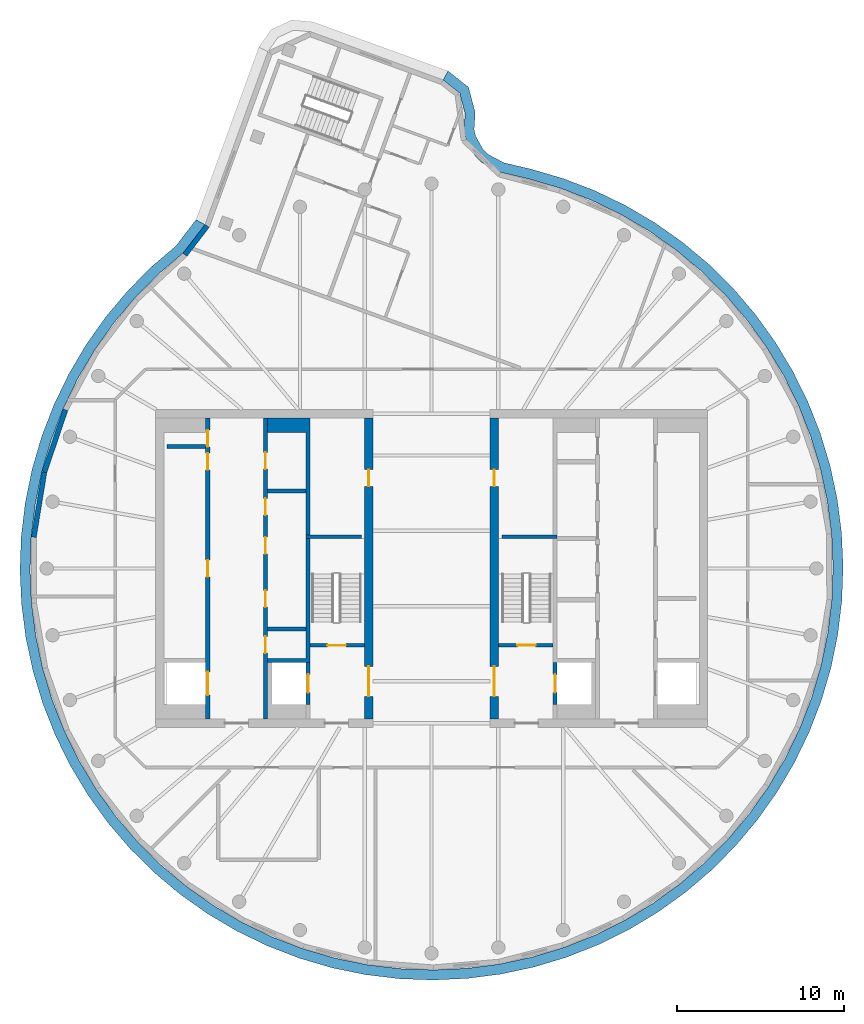
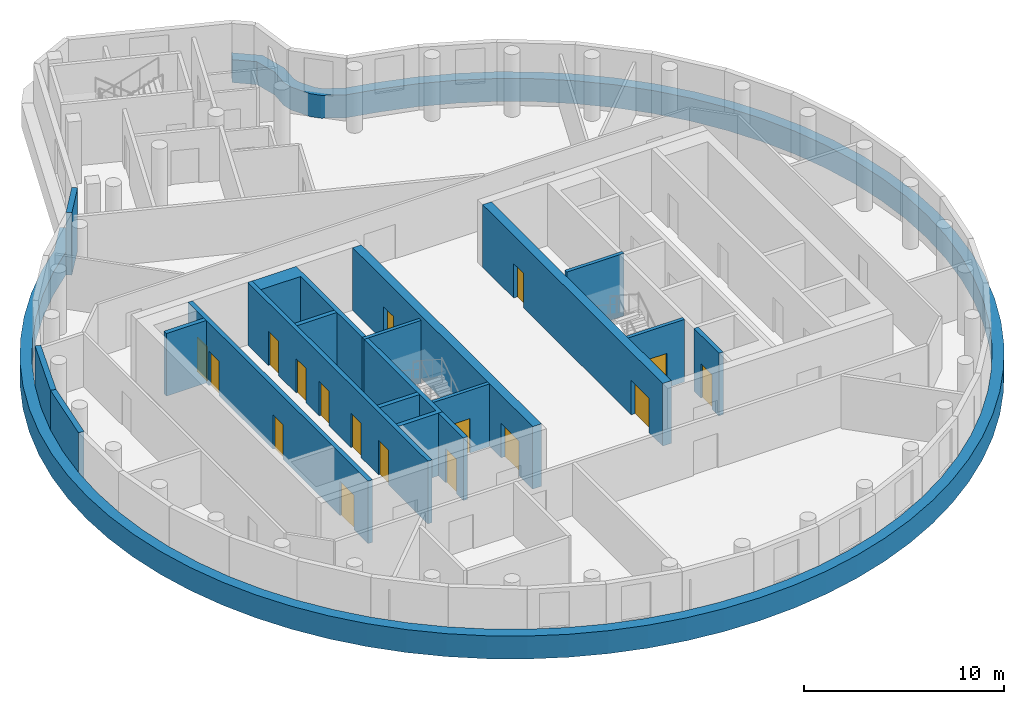
# One storey, part 3 of 7: 17 doors, 17 walls, 1 member, 17 openings.
"""IFC4 building model written with IfcOpenShell, lengths in metres."""

from ifc_helpers import new_model, si_unit, direction, frame, frame_2d, origin, place, context, subcontext, project, spatial, polyline, rectangle, outline, extrude, material, layer, layer_set, type_object, element, fill, aggregate, save


model = new_model("IFC4")

# Units and contexts
model_context = context("Model", 3, precision=1e-05, world=origin(), true_north=direction((0.0, 1.0)))
body_context = subcontext(model_context, "Body", "Model", "MODEL_VIEW")
ifc_project = project(units=[si_unit("LENGTHUNIT", "METRE"), si_unit("AREAUNIT", "SQUARE_METRE"), si_unit("VOLUMEUNIT", "CUBIC_METRE"), si_unit("PLANEANGLEUNIT", "RADIAN"), si_unit("MASSUNIT", "GRAM", prefix="KILO")], contexts=[model_context])

# Member
ifc_material_1 = material(Name="Aluminium and insulated spandrel panel", Category="aluminium")
member_type = type_object("IfcMemberType", Name="Floor-edge blade transom", PredefinedType="USERDEFINED", material=ifc_material_1)
site_placement = place(None, origin())
building_placement = place(site_placement, origin())
storey_placement = place(building_placement, frame((0.0, 0.0, 313.39990234375)))
member_placement = place(storey_placement, origin())
member = element("IfcMember", 1, at=member_placement, type_object=member_type, Name="CWT-L77-02", ObjectType="TRANSOM", PredefinedType="USERDEFINED", context=body_context, shape_type="SweptSolid", body=[
    extrude(outline(polyline([(-13.54248046875, 20.54736328125), (-14.847900390625, 18.848876953125), (-16.327880859375, 17.584228515625), (-17.72412109375, 16.17578125), (-18.99951171875, 14.656982421875), (-20.14501953125, 13.0380859375), (-21.15283203125, 11.329833984375), (-22.01611328125, 9.54443359375), (-22.72900390625, 7.69384765625), (-23.286865234375, 5.79052734375), (-23.685546875, 3.84765625), (-23.92236328125, 1.878662109375), (-23.995849609375, -0.103271484375), (-23.9052734375, -2.08447265625), (-23.6513671875, -4.051513671875), (-23.236083984375, -5.99072265625), (-22.662109375, -7.88916015625), (-21.93310546875, -9.733642578125), (-21.054443359375, -11.511474609375), (-20.031982421875, -13.2109375), (-18.87255859375, -14.820068359375), (-17.584228515625, -16.327880859375), (-16.17578125, -17.72412109375), (-14.656982421875, -18.99951171875), (-13.0380859375, -20.14501953125), (-11.329833984375, -21.15283203125), (-9.54443359375, -22.01611328125), (-7.69384765625, -22.72900390625), (-5.79052734375, -23.286865234375), (-3.84765625, -23.685546875), (-1.878662109375, -23.92236328125), (0.103271484375, -23.995849609375), (2.08447265625, -23.9052734375), (4.051513671875, -23.6513671875), (5.99072265625, -23.236083984375), (7.88916015625, -22.662109375), (9.733642578125, -21.93310546875), (11.511474609375, -21.054443359375), (13.2109375, -20.031982421875), (14.820068359375, -18.87255859375), (16.327880859375, -17.584228515625), (17.72412109375, -16.17578125), (18.99951171875, -14.656982421875), (20.14501953125, -13.0380859375), (21.15283203125, -11.329833984375), (22.01611328125, -9.54443359375), (22.72900390625, -7.69384765625), (23.286865234375, -5.79052734375), (23.685546875, -3.84765625), (23.92236328125, -1.878662109375), (23.995849609375, 0.103271484375), (23.9052734375, 2.08447265625), (23.6513671875, 4.051513671875), (23.236083984375, 5.99072265625), (22.662109375, 7.88916015625), (21.93310546875, 9.733642578125), (21.054443359375, 11.511474609375), (20.031982421875, 13.2109375), (18.87255859375, 14.820068359375), (17.584228515625, 16.327880859375), (16.17578125, 17.72412109375), (14.656982421875, 18.99951171875), (13.0380859375, 20.14501953125), (11.329833984375, 21.15283203125), (9.54443359375, 22.01611328125), (7.69384765625, 22.72900390625), (5.79052734375, 23.286865234375), (4.106689453125, 23.68115234375), (2.99658203125, 24.276123046875), (2.603515625, 24.663330078125), (2.0615234375, 25.6376953125), (1.940185546875, 26.176025390625), (2.004638671875, 27.190673828125), (1.6826171875, 28.412353515625), (0.692626953125, 29.197021484375), (0.9892578125, 29.7275390625), (2.2119140625, 28.75830078125), (2.609619140625, 27.249755859375), (2.54443359375, 26.223876953125), (2.6279296875, 25.85400390625), (3.0859375, 25.0302734375), (3.356201171875, 24.76416015625), (4.3203125, 24.247314453125), (5.943359375, 23.8671875), (7.88623046875, 23.2978515625), (9.783203125, 22.567138671875), (11.613525390625, 21.68212890625), (13.3642578125, 20.64892578125), (15.023681640625, 19.474853515625), (16.580810546875, 18.167724609375), (18.0244140625, 16.736572265625), (19.344970703125, 15.19091796875), (20.533203125, 13.54150390625), (21.581298828125, 11.799560546875), (22.482177734375, 9.97705078125), (23.229248046875, 8.08642578125), (23.817626953125, 6.140625), (24.243408203125, 4.15283203125), (24.50341796875, 2.13671875), (24.59619140625, 0.10595703125), (24.52099609375, -1.925537109375), (24.2783203125, -3.944091796875), (23.86962890625, -5.935302734375), (23.2978515625, -7.88623046875), (22.567138671875, -9.783203125), (21.68212890625, -11.613525390625), (20.64892578125, -13.3642578125), (19.474853515625, -15.023681640625), (18.167724609375, -16.580810546875), (16.736572265625, -18.0244140625), (15.19091796875, -19.344970703125), (13.54150390625, -20.533203125), (11.799560546875, -21.581298828125), (9.97705078125, -22.482177734375), (8.08642578125, -23.229248046875), (6.140625, -23.817626953125), (4.15283203125, -24.243408203125), (2.13671875, -24.50341796875), (0.10595703125, -24.59619140625), (-1.925537109375, -24.52099609375), (-3.944091796875, -24.2783203125), (-5.935302734375, -23.86962890625), (-7.88623046875, -23.2978515625), (-9.783203125, -22.567138671875), (-11.613525390625, -21.68212890625), (-13.3642578125, -20.64892578125), (-15.023681640625, -19.474853515625), (-16.580810546875, -18.167724609375), (-18.0244140625, -16.736572265625), (-19.344970703125, -15.19091796875), (-20.533203125, -13.54150390625), (-21.581298828125, -11.799560546875), (-22.482177734375, -9.97705078125), (-23.229248046875, -8.08642578125), (-23.817626953125, -6.140625), (-24.243408203125, -4.15283203125), (-24.50341796875, -2.13671875), (-24.59619140625, -0.10595703125), (-24.52099609375, 1.925537109375), (-24.2783203125, 3.944091796875), (-23.86962890625, 5.935302734375), (-23.2978515625, 7.88623046875), (-22.567138671875, 9.783203125), (-21.68212890625, 11.613525390625), (-20.64892578125, 13.3642578125), (-19.474853515625, 15.023681640625), (-18.167724609375, 16.580810546875), (-16.736572265625, 18.0244140625), (-15.285400390625, 19.264404296875), (-14.07470703125, 20.839599609375), (-13.54248046875, 20.54736328125)])), origin(), (0.0, 0.0, 1.0), 1.400146484375),
])

# Site, building, storey
site = spatial("IfcSite", under=ifc_project, at=site_placement, CompositionType="ELEMENT")
building = spatial("IfcBuilding", under=site, at=building_placement, Name="Tamarind Cross Interchange Tower", CompositionType="ELEMENT")
storey = spatial("IfcBuildingStorey", under=building, at=storey_placement, Name="L77", CompositionType="ELEMENT", Elevation=313.39990234375)

# Wall, openings, doors
ifc_material_2 = material(Name="Concrete C50", Category="concrete")
ifc_layer_1 = layer(ifc_material_2, 0.5)
ifc_layer_set_1 = layer_set([ifc_layer_1], Name="Concrete C50")
wall_type_1 = type_object("IfcWallType", Name="Core wall 500 mm Concrete C50", PredefinedType="SHEAR", material=ifc_layer_set_1)
wall_1_placement = place(storey_placement, frame((-3.75, -9.0, 0.0), z_axis=(0.0, 0.0, 1.0), x_axis=(0.0, 1.0, 0.0)))
wall_1 = element("IfcWall", 2, at=wall_1_placement, inside=storey, type_object=wall_type_1, Name="Core wall CWL-L77-W-IN", PredefinedType="SHEAR", context=body_context, shape_type="SweptSolid", body=[
    extrude(rectangle(XDim=18.0, YDim=0.5, at=frame_2d((9.0, 0.0))), origin(), (0.0, 0.0, 1.0), 3.820068359375),
])
opening_1_placement = place(wall_1_placement, frame((1.35009765625, 0.0, 0.0)))
opening_1 = element("IfcOpeningElement", 3, at=opening_1_placement, cuts=wall_1, Name="Opening DCW4", PredefinedType="OPENING", context=body_context, shape_type="SweptSolid", body=[
    extrude(rectangle(XDim=1.800048828125, YDim=2.10009765625, at=frame_2d((0.89990234375, 1.050048828125))), frame((0.0, 0.260009765625, 0.0), z_axis=(0.0, -1.0, 0.0), x_axis=(1.0, 0.0, 0.0)), (0.0, 0.0, 1.0), 0.52001953125),
])
opening_2_placement = place(wall_1_placement, frame((13.89990234375, 0.0, 0.0)))
opening_2 = element("IfcOpeningElement", 4, at=opening_2_placement, cuts=wall_1, Name="Opening DCW5", PredefinedType="OPENING", context=body_context, shape_type="SweptSolid", body=[
    extrude(rectangle(XDim=1.0, YDim=2.10009765625, at=frame_2d((0.5, 1.050048828125))), frame((0.0, 0.260009765625, 0.0), z_axis=(0.0, -1.0, 0.0), x_axis=(1.0, 0.0, 0.0)), (0.0, 0.0, 1.0), 0.52001953125),
])
ifc_material_3 = material(Name="Steel, fire-resisting", Category="steel")
door_type_1 = type_object("IfcDoorType", Name="Core fire door 1000 x 2100 FD90", OperationType="SINGLE_SWING_LEFT", PredefinedType="DOOR", material=ifc_material_3)
door_1_placement = place(opening_2_placement, origin())
door_1 = element("IfcDoor", 5, at=door_1_placement, inside=storey, type_object=door_type_1, Name="L77 riser room door", OperationType="SINGLE_SWING_LEFT", OverallHeight=2.10009765625, OverallWidth=1.0, PredefinedType="DOOR", context=body_context, shape_type="SweptSolid", body=[
    extrude(rectangle(XDim=1.0, YDim=2.10009765625, at=frame_2d((0.5, 1.050048828125))), frame((0.0, 0.02490234375, 0.0), z_axis=(0.0, -1.0, 0.0), x_axis=(1.0, 0.0, 0.0)), (0.0, 0.0, 1.0), 0.050048828125),
])
fill(opening_2, door_1)
door_type_2 = type_object("IfcDoorType", Name="Core fire door 1800 x 2100 FD90", OperationType="SINGLE_SWING_LEFT", PredefinedType="DOOR", material=ifc_material_3)
door_2_placement = place(opening_1_placement, origin())
door_2 = element("IfcDoor", 6, at=door_2_placement, inside=storey, type_object=door_type_2, Name="L77 firefighting lobby door", OperationType="SINGLE_SWING_LEFT", OverallHeight=2.10009765625, OverallWidth=1.800048828125, PredefinedType="DOOR", context=body_context, shape_type="SweptSolid", body=[
    extrude(rectangle(XDim=1.800048828125, YDim=2.10009765625, at=frame_2d((0.89990234375, 1.050048828125))), frame((0.0, 0.02490234375, 0.0), z_axis=(0.0, -1.0, 0.0), x_axis=(1.0, 0.0, 0.0)), (0.0, 0.0, 1.0), 0.050048828125),
])
fill(opening_1, door_2)

wall_2_placement = place(storey_placement, frame((3.75, -9.0, 0.0), z_axis=(0.0, 0.0, 1.0), x_axis=(0.0, 1.0, 0.0)))
wall_2 = element("IfcWall", 7, at=wall_2_placement, inside=storey, type_object=wall_type_1, Name="Core wall CWL-L77-E-IN", PredefinedType="SHEAR", context=body_context, shape_type="SweptSolid", body=[
    extrude(rectangle(XDim=18.0, YDim=0.5, at=frame_2d((9.0, 0.0))), origin(), (0.0, 0.0, 1.0), 3.820068359375),
])
opening_3_placement = place(wall_2_placement, frame((1.35009765625, 0.0, 0.0)))
opening_3 = element("IfcOpeningElement", 8, at=opening_3_placement, cuts=wall_2, Name="Opening DCE4", PredefinedType="OPENING", context=body_context, shape_type="SweptSolid", body=[
    extrude(rectangle(XDim=1.800048828125, YDim=2.10009765625, at=frame_2d((0.89990234375, 1.050048828125))), frame((0.0, 0.260009765625, 0.0), z_axis=(0.0, -1.0, 0.0), x_axis=(1.0, 0.0, 0.0)), (0.0, 0.0, 1.0), 0.52001953125),
])
opening_4_placement = place(wall_2_placement, frame((13.89990234375, 0.0, 0.0)))
opening_4 = element("IfcOpeningElement", 9, at=opening_4_placement, cuts=wall_2, Name="Opening DCE5", PredefinedType="OPENING", context=body_context, shape_type="SweptSolid", body=[
    extrude(rectangle(XDim=1.0, YDim=2.10009765625, at=frame_2d((0.5, 1.050048828125))), frame((0.0, 0.260009765625, 0.0), z_axis=(0.0, -1.0, 0.0), x_axis=(1.0, 0.0, 0.0)), (0.0, 0.0, 1.0), 0.52001953125),
])
door_3_placement = place(opening_4_placement, origin())
door_3 = element("IfcDoor", 10, at=door_3_placement, inside=storey, type_object=door_type_1, Name="L77 riser room door", OperationType="SINGLE_SWING_LEFT", OverallHeight=2.10009765625, OverallWidth=1.0, PredefinedType="DOOR", context=body_context, shape_type="SweptSolid", body=[
    extrude(rectangle(XDim=1.0, YDim=2.10009765625, at=frame_2d((0.5, 1.050048828125))), frame((0.0, 0.02490234375, 0.0), z_axis=(0.0, -1.0, 0.0), x_axis=(1.0, 0.0, 0.0)), (0.0, 0.0, 1.0), 0.050048828125),
])
fill(opening_4, door_3)
door_4_placement = place(opening_3_placement, origin())
door_4 = element("IfcDoor", 11, at=door_4_placement, inside=storey, type_object=door_type_2, Name="L77 firefighting lobby door", OperationType="SINGLE_SWING_LEFT", OverallHeight=2.10009765625, OverallWidth=1.800048828125, PredefinedType="DOOR", context=body_context, shape_type="SweptSolid", body=[
    extrude(rectangle(XDim=1.800048828125, YDim=2.10009765625, at=frame_2d((0.89990234375, 1.050048828125))), frame((0.0, 0.02490234375, 0.0), z_axis=(0.0, -1.0, 0.0), x_axis=(1.0, 0.0, 0.0)), (0.0, 0.0, 1.0), 0.050048828125),
])
fill(opening_3, door_4)

# Walls
ifc_layer_2 = layer(ifc_material_2, 0.199951171875)
ifc_layer_set_2 = layer_set([ifc_layer_2], Name="Concrete C50")
wall_type_2 = type_object("IfcWallType", Name="Core web wall 200 mm Concrete C50", PredefinedType="SHEAR", material=ifc_layer_set_2)
for number, where, z_axis, x_axis, name in (
    (12, (-7.5, 1.89990234375, 0.0), (0.0, 0.0, 1.0), (1.0, 0.0, 0.0), "Core wall CWL-L77-W-BD"),
    (13, (7.5, 1.89990234375, 0.0), (0.0, 0.0, 1.0), (-1.0, 0.0, 0.0), "Core wall CWL-L77-E-BD"),
):
    element("IfcWall", number, at=place(storey_placement, frame(where, z_axis=z_axis, x_axis=x_axis)), inside=storey, type_object=wall_type_2, Name=name, PredefinedType="SHEAR", context=body_context, shape_type="SweptSolid", body=[
        extrude(rectangle(XDim=3.300048828125, YDim=0.199951171875, at=frame_2d((1.64990234375, 0.0))), origin(), (0.0, 0.0, 1.0), 3.820068359375),
    ])
ifc_layer_3 = layer(ifc_material_2, 0.25)
ifc_layer_set_3 = layer_set([ifc_layer_3], Name="Concrete C50")
wall_type_3 = type_object("IfcWallType", Name="Core web wall 250 mm Concrete C50", PredefinedType="SHEAR", material=ifc_layer_set_3)
wall_3_placement = place(storey_placement, origin())
element("IfcWall", 14, at=wall_3_placement, inside=storey, type_object=wall_type_3, Name="Core wall CWL-L77-W-BN", PredefinedType="SHEAR", context=body_context, shape_type="SweptSolid", body=[
    extrude(outline(polyline([(-9.800048828125, -5.625), (-7.5, -5.625), (-7.25, -5.625), (-7.25, 9.0), (-7.5, 9.0), (-9.800048828125, 9.0), (-9.800048828125, 8.125), (-7.5, 8.125), (-7.5, -5.375), (-9.800048828125, -5.375), (-9.800048828125, -5.625)])), origin(), (0.0, 0.0, 1.0), 3.820068359375),
])

# Wall, openings, doors
wall_4_placement = place(storey_placement, frame((-13.375, -9.0, 0.0), z_axis=(0.0, 0.0, 1.0), x_axis=(0.0, 1.0, 0.0)))
wall_4 = element("IfcWall", 15, at=wall_4_placement, inside=storey, type_object=wall_type_3, Name="Core wall CWL-L77-W-LA", PredefinedType="SHEAR", context=body_context, shape_type="SweptSolid", body=[
    extrude(rectangle(XDim=18.0, YDim=0.25, at=frame_2d((9.0, 0.0))), origin(), (0.0, 0.0, 1.0), 3.820068359375),
])
opening_5_placement = place(wall_4_placement, frame((1.425048828125, 0.0, 0.0)))
opening_5 = element("IfcOpeningElement", 16, at=opening_5_placement, cuts=wall_4, Name="Opening LD1L77", PredefinedType="OPENING", context=body_context, shape_type="SweptSolid", body=[
    extrude(rectangle(XDim=1.39990234375, YDim=2.10009765625, at=frame_2d((0.699951171875, 1.050048828125))), frame((0.0, 0.135009765625, 0.0), z_axis=(0.0, -1.0, 0.0), x_axis=(1.0, 0.0, 0.0)), (0.0, 0.0, 1.0), 0.27001953125),
])
opening_6_placement = place(wall_4_placement, frame((8.5, 0.0, 0.0)))
opening_6 = element("IfcOpeningElement", 17, at=opening_6_placement, cuts=wall_4, Name="Opening DCW9", PredefinedType="OPENING", context=body_context, shape_type="SweptSolid", body=[
    extrude(rectangle(XDim=1.0, YDim=2.10009765625, at=frame_2d((0.5, 1.050048828125))), frame((0.0, 0.135009765625, 0.0), z_axis=(0.0, -1.0, 0.0), x_axis=(1.0, 0.0, 0.0)), (0.0, 0.0, 1.0), 0.27001953125),
])
opening_7_placement = place(wall_4_placement, frame((14.89599609375, 0.0, 0.0)))
opening_7 = element("IfcOpeningElement", 18, at=opening_7_placement, cuts=wall_4, Name="Opening DCW17", PredefinedType="OPENING", context=body_context, shape_type="SweptSolid", body=[
    extrude(rectangle(XDim=1.0, YDim=2.10009765625, at=frame_2d((0.5, 1.050048828125))), frame((0.0, 0.135009765625, 0.0), z_axis=(0.0, -1.0, 0.0), x_axis=(1.0, 0.0, 0.0)), (0.0, 0.0, 1.0), 0.27001953125),
])
opening_8_placement = place(wall_4_placement, frame((16.27099609375, 0.0, 0.0)))
opening_8 = element("IfcOpeningElement", 19, at=opening_8_placement, cuts=wall_4, Name="Opening DCW18", PredefinedType="OPENING", context=body_context, shape_type="SweptSolid", body=[
    extrude(rectangle(XDim=1.0, YDim=2.10009765625, at=frame_2d((0.5, 1.050048828125))), frame((0.0, 0.135009765625, 0.0), z_axis=(0.0, -1.0, 0.0), x_axis=(1.0, 0.0, 0.0)), (0.0, 0.0, 1.0), 0.27001953125),
])
door_5_placement = place(opening_6_placement, origin())
door_5 = element("IfcDoor", 20, at=door_5_placement, inside=storey, type_object=door_type_1, Name="L77 Pump room door", OperationType="SINGLE_SWING_LEFT", OverallHeight=2.10009765625, OverallWidth=1.0, PredefinedType="DOOR", context=body_context, shape_type="SweptSolid", body=[
    extrude(rectangle(XDim=1.0, YDim=2.10009765625, at=frame_2d((0.5, 1.050048828125))), frame((0.0, 0.02490234375, 0.0), z_axis=(0.0, -1.0, 0.0), x_axis=(1.0, 0.0, 0.0)), (0.0, 0.0, 1.0), 0.050048828125),
])
fill(opening_6, door_5)
door_6_placement = place(opening_7_placement, origin())
door_6 = element("IfcDoor", 21, at=door_6_placement, inside=storey, type_object=door_type_1, Name="L77 Switch room door", OperationType="SINGLE_SWING_LEFT", OverallHeight=2.10009765625, OverallWidth=1.0, PredefinedType="DOOR", context=body_context, shape_type="SweptSolid", body=[
    extrude(rectangle(XDim=1.0, YDim=2.10009765625, at=frame_2d((0.5, 1.050048828125))), frame((0.0, 0.02490234375, 0.0), z_axis=(0.0, -1.0, 0.0), x_axis=(1.0, 0.0, 0.0)), (0.0, 0.0, 1.0), 0.050048828125),
])
fill(opening_7, door_6)
door_7_placement = place(opening_8_placement, origin())
door_7 = element("IfcDoor", 22, at=door_7_placement, inside=storey, type_object=door_type_1, Name="L77 Pump room door", OperationType="SINGLE_SWING_LEFT", OverallHeight=2.10009765625, OverallWidth=1.0, PredefinedType="DOOR", context=body_context, shape_type="SweptSolid", body=[
    extrude(rectangle(XDim=1.0, YDim=2.10009765625, at=frame_2d((0.5, 1.050048828125))), frame((0.0, 0.02490234375, 0.0), z_axis=(0.0, -1.0, 0.0), x_axis=(1.0, 0.0, 0.0)), (0.0, 0.0, 1.0), 0.050048828125),
])
fill(opening_8, door_7)
ifc_material_4 = material(Name="Stainless steel panel", Category="steel")
door_type_3 = type_object("IfcDoorType", Name="Lift landing door 1400 x 2100 E 120", OperationType="SLIDING_TO_LEFT", PredefinedType="DOOR", material=ifc_material_4)
door_8_placement = place(opening_5_placement, origin())
door_8 = element("IfcDoor", 23, at=door_8_placement, inside=storey, type_object=door_type_3, Name="L77 landing door LF1", OperationType="SLIDING_TO_LEFT", OverallHeight=2.10009765625, OverallWidth=1.39990234375, PredefinedType="DOOR", context=body_context, shape_type="SweptSolid", body=[
    extrude(rectangle(XDim=1.39990234375, YDim=2.10009765625, at=frame_2d((0.699951171875, 1.050048828125))), frame((0.0, 0.02490234375, 0.0), z_axis=(0.0, -1.0, 0.0), x_axis=(1.0, 0.0, 0.0)), (0.0, 0.0, 1.0), 0.050048828125),
])
fill(opening_5, door_8)

wall_5_placement = place(storey_placement, frame((-9.925048828125, -9.0, 0.0), z_axis=(0.0, 0.0, 1.0), x_axis=(0.0, 1.0, 0.0)))
wall_5 = element("IfcWall", 24, at=wall_5_placement, inside=storey, type_object=wall_type_3, Name="Core wall CWL-L77-W-LB", PredefinedType="SHEAR", context=body_context, shape_type="SweptSolid", body=[
    extrude(rectangle(XDim=18.0, YDim=0.25, at=frame_2d((9.0, 0.0))), origin(), (0.0, 0.0, 1.0), 3.820068359375),
])
opening_9_placement = place(wall_5_placement, frame((3.9375, 0.0, 0.0)))
opening_9 = element("IfcOpeningElement", 25, at=opening_9_placement, cuts=wall_5, Name="Opening DCW21", PredefinedType="OPENING", context=body_context, shape_type="SweptSolid", body=[
    extrude(rectangle(XDim=1.0, YDim=2.10009765625, at=frame_2d((0.5, 1.050048828125))), frame((0.0, 0.135009765625, 0.0), z_axis=(0.0, -1.0, 0.0), x_axis=(1.0, 0.0, 0.0)), (0.0, 0.0, 1.0), 0.27001953125),
])
opening_10_placement = place(wall_5_placement, frame((6.6875, 0.0, 0.0)))
opening_10 = element("IfcOpeningElement", 26, at=opening_10_placement, cuts=wall_5, Name="Opening DCW22", PredefinedType="OPENING", context=body_context, shape_type="SweptSolid", body=[
    extrude(rectangle(XDim=1.0, YDim=2.10009765625, at=frame_2d((0.5, 1.050048828125))), frame((0.0, 0.135009765625, 0.0), z_axis=(0.0, -1.0, 0.0), x_axis=(1.0, 0.0, 0.0)), (0.0, 0.0, 1.0), 0.27001953125),
])
opening_11_placement = place(wall_5_placement, frame((9.875, 0.0, 0.0)))
opening_11 = element("IfcOpeningElement", 27, at=opening_11_placement, cuts=wall_5, Name="Opening DCW21", PredefinedType="OPENING", context=body_context, shape_type="SweptSolid", body=[
    extrude(rectangle(XDim=1.0, YDim=2.10009765625, at=frame_2d((0.5, 1.050048828125))), frame((0.0, 0.135009765625, 0.0), z_axis=(0.0, -1.0, 0.0), x_axis=(1.0, 0.0, 0.0)), (0.0, 0.0, 1.0), 0.27001953125),
])
opening_12_placement = place(wall_5_placement, frame((12.1875, 0.0, 0.0)))
opening_12 = element("IfcOpeningElement", 28, at=opening_12_placement, cuts=wall_5, Name="Opening DCW21", PredefinedType="OPENING", context=body_context, shape_type="SweptSolid", body=[
    extrude(rectangle(XDim=1.0, YDim=2.10009765625, at=frame_2d((0.5, 1.050048828125))), frame((0.0, 0.135009765625, 0.0), z_axis=(0.0, -1.0, 0.0), x_axis=(1.0, 0.0, 0.0)), (0.0, 0.0, 1.0), 0.27001953125),
])
opening_13_placement = place(wall_5_placement, frame((14.9375, 0.0, 0.0)))
opening_13 = element("IfcOpeningElement", 29, at=opening_13_placement, cuts=wall_5, Name="Opening DCW22", PredefinedType="OPENING", context=body_context, shape_type="SweptSolid", body=[
    extrude(rectangle(XDim=1.0, YDim=2.10009765625, at=frame_2d((0.5, 1.050048828125))), frame((0.0, 0.135009765625, 0.0), z_axis=(0.0, -1.0, 0.0), x_axis=(1.0, 0.0, 0.0)), (0.0, 0.0, 1.0), 0.27001953125),
])
door_9_placement = place(opening_9_placement, origin())
door_9 = element("IfcDoor", 30, at=door_9_placement, inside=storey, type_object=door_type_1, Name="L77 Switch room door", OperationType="SINGLE_SWING_LEFT", OverallHeight=2.10009765625, OverallWidth=1.0, PredefinedType="DOOR", context=body_context, shape_type="SweptSolid", body=[
    extrude(rectangle(XDim=1.0, YDim=2.10009765625, at=frame_2d((0.5, 1.050048828125))), frame((0.0, 0.02490234375, 0.0), z_axis=(0.0, -1.0, 0.0), x_axis=(1.0, 0.0, 0.0)), (0.0, 0.0, 1.0), 0.050048828125),
])
fill(opening_9, door_9)
door_10_placement = place(opening_10_placement, origin())
door_10 = element("IfcDoor", 31, at=door_10_placement, inside=storey, type_object=door_type_1, Name="L77 Pump room door", OperationType="SINGLE_SWING_LEFT", OverallHeight=2.10009765625, OverallWidth=1.0, PredefinedType="DOOR", context=body_context, shape_type="SweptSolid", body=[
    extrude(rectangle(XDim=1.0, YDim=2.10009765625, at=frame_2d((0.5, 1.050048828125))), frame((0.0, 0.02490234375, 0.0), z_axis=(0.0, -1.0, 0.0), x_axis=(1.0, 0.0, 0.0)), (0.0, 0.0, 1.0), 0.050048828125),
])
fill(opening_10, door_10)
door_11_placement = place(opening_11_placement, origin())
door_11 = element("IfcDoor", 32, at=door_11_placement, inside=storey, type_object=door_type_1, Name="L77 Pump room door", OperationType="SINGLE_SWING_LEFT", OverallHeight=2.10009765625, OverallWidth=1.0, PredefinedType="DOOR", context=body_context, shape_type="SweptSolid", body=[
    extrude(rectangle(XDim=1.0, YDim=2.10009765625, at=frame_2d((0.5, 1.050048828125))), frame((0.0, 0.02490234375, 0.0), z_axis=(0.0, -1.0, 0.0), x_axis=(1.0, 0.0, 0.0)), (0.0, 0.0, 1.0), 0.050048828125),
])
fill(opening_11, door_11)
door_12_placement = place(opening_12_placement, origin())
door_12 = element("IfcDoor", 33, at=door_12_placement, inside=storey, type_object=door_type_1, Name="L77 Plant room door", OperationType="SINGLE_SWING_LEFT", OverallHeight=2.10009765625, OverallWidth=1.0, PredefinedType="DOOR", context=body_context, shape_type="SweptSolid", body=[
    extrude(rectangle(XDim=1.0, YDim=2.10009765625, at=frame_2d((0.5, 1.050048828125))), frame((0.0, 0.02490234375, 0.0), z_axis=(0.0, -1.0, 0.0), x_axis=(1.0, 0.0, 0.0)), (0.0, 0.0, 1.0), 0.050048828125),
])
fill(opening_12, door_12)
door_13_placement = place(opening_13_placement, origin())
door_13 = element("IfcDoor", 34, at=door_13_placement, inside=storey, type_object=door_type_1, Name="L77 Storage room door", OperationType="SINGLE_SWING_LEFT", OverallHeight=2.10009765625, OverallWidth=1.0, PredefinedType="DOOR", context=body_context, shape_type="SweptSolid", body=[
    extrude(rectangle(XDim=1.0, YDim=2.10009765625, at=frame_2d((0.5, 1.050048828125))), frame((0.0, 0.02490234375, 0.0), z_axis=(0.0, -1.0, 0.0), x_axis=(1.0, 0.0, 0.0)), (0.0, 0.0, 1.0), 0.050048828125),
])
fill(opening_13, door_13)

# Wall, opening, door
wall_6_placement = place(storey_placement, frame((-7.375, -8.125, 0.0), z_axis=(0.0, 0.0, 1.0), x_axis=(0.0, 1.0, 0.0)))
wall_6 = element("IfcWall", 35, at=wall_6_placement, inside=storey, type_object=wall_type_3, Name="Core wall CWL-L77-W-FF", PredefinedType="SHEAR", context=body_context, shape_type="SweptSolid", body=[
    extrude(rectangle(XDim=2.5, YDim=0.25, at=frame_2d((1.25, 0.0))), origin(), (0.0, 0.0, 1.0), 3.820068359375),
])
opening_14_placement = place(wall_6_placement, frame((0.699951171875, 0.0, 0.0)))
opening_14 = element("IfcOpeningElement", 36, at=opening_14_placement, cuts=wall_6, Name="Opening LD7L77", PredefinedType="OPENING", context=body_context, shape_type="SweptSolid", body=[
    extrude(rectangle(XDim=1.10009765625, YDim=2.10009765625, at=frame_2d((0.550048828125, 1.050048828125))), frame((0.0, 0.135009765625, 0.0), z_axis=(0.0, -1.0, 0.0), x_axis=(1.0, 0.0, 0.0)), (0.0, 0.0, 1.0), 0.27001953125),
])
door_type_4 = type_object("IfcDoorType", Name="Lift landing door 1100 x 2100 E 120", OperationType="SLIDING_TO_LEFT", PredefinedType="DOOR", material=ifc_material_4)
door_14_placement = place(opening_14_placement, origin())
door_14 = element("IfcDoor", 37, at=door_14_placement, inside=storey, type_object=door_type_4, Name="L77 landing door LF7", OperationType="SLIDING_TO_LEFT", OverallHeight=2.10009765625, OverallWidth=1.10009765625, PredefinedType="DOOR", context=body_context, shape_type="SweptSolid", body=[
    extrude(rectangle(XDim=1.10009765625, YDim=2.10009765625, at=frame_2d((0.550048828125, 1.050048828125))), frame((0.0, 0.02490234375, 0.0), z_axis=(0.0, -1.0, 0.0), x_axis=(1.0, 0.0, 0.0)), (0.0, 0.0, 1.0), 0.050048828125),
])
fill(opening_14, door_14)

wall_7_placement = place(storey_placement, frame((7.375, -8.125, 0.0), z_axis=(0.0, 0.0, 1.0), x_axis=(0.0, 1.0, 0.0)))
wall_7 = element("IfcWall", 38, at=wall_7_placement, inside=storey, type_object=wall_type_3, Name="Core wall CWL-L77-E-FF", PredefinedType="SHEAR", context=body_context, shape_type="SweptSolid", body=[
    extrude(rectangle(XDim=2.5, YDim=0.25, at=frame_2d((1.25, 0.0))), origin(), (0.0, 0.0, 1.0), 3.820068359375),
])
opening_15_placement = place(wall_7_placement, frame((0.699951171875, 0.0, 0.0)))
opening_15 = element("IfcOpeningElement", 39, at=opening_15_placement, cuts=wall_7, Name="Opening LD19L77", PredefinedType="OPENING", context=body_context, shape_type="SweptSolid", body=[
    extrude(rectangle(XDim=1.10009765625, YDim=2.10009765625, at=frame_2d((0.550048828125, 1.050048828125))), frame((0.0, 0.135009765625, 0.0), z_axis=(0.0, -1.0, 0.0), x_axis=(1.0, 0.0, 0.0)), (0.0, 0.0, 1.0), 0.27001953125),
])
door_15_placement = place(opening_15_placement, origin())
door_15 = element("IfcDoor", 40, at=door_15_placement, inside=storey, type_object=door_type_4, Name="L77 landing door LF19", OperationType="SLIDING_TO_LEFT", OverallHeight=2.10009765625, OverallWidth=1.10009765625, PredefinedType="DOOR", context=body_context, shape_type="SweptSolid", body=[
    extrude(rectangle(XDim=1.10009765625, YDim=2.10009765625, at=frame_2d((0.550048828125, 1.050048828125))), frame((0.0, 0.02490234375, 0.0), z_axis=(0.0, -1.0, 0.0), x_axis=(1.0, 0.0, 0.0)), (0.0, 0.0, 1.0), 0.050048828125),
])
fill(opening_15, door_15)

# Wall
ifc_material_5 = material(Name="Precast concrete C40", Category="concrete")
ifc_layer_4 = layer(ifc_material_5, 0.300048828125)
ifc_layer_set_4 = layer_set([ifc_layer_4], Name="Precast concrete C40")
wall_type_4 = type_object("IfcWallType", Name="Plant louvre wall", PredefinedType="SOLIDWALL", material=ifc_layer_set_4)
wall_8_placement = place(storey_placement, frame((-13.409423828125, 20.474365234375, 0.0), z_axis=(0.0, 0.0, 1.0), x_axis=(-0.609396950442, -0.792865282877, 0.0)))
wall_8 = element("IfcWall", 41, at=wall_8_placement, inside=storey, type_object=wall_type_4, Name="EXW-L77-02-00", PredefinedType="SOLIDWALL", context=body_context, shape_type="SweptSolid", body=[
    extrude(rectangle(XDim=2.180908203125, YDim=0.300048828125, at=frame_2d((1.09033203125, 0.0))), origin(), (0.0, 0.0, 1.0), 3.820068359375),
])

aggregate(wall_8, [member])

# Walls
wall_9_placement = place(storey_placement, frame((-21.87841796875, 9.484619140625, 0.0), z_axis=(0.0, 0.0, 1.0), x_axis=(-0.320613287718, -0.947210177172, 0.0)))
element("IfcWall", 42, at=wall_9_placement, inside=storey, type_object=wall_type_4, Name="EXW-L77-02-04", PredefinedType="SOLIDWALL", context=body_context, shape_type="SweptSolid", body=[
    extrude(rectangle(XDim=3.9384765625, YDim=0.300048828125, at=frame_2d((1.96923828125, 0.0))), origin(), (0.0, 0.0, 1.0), 3.820068359375),
])
wall_10_placement = place(storey_placement, frame((-23.14111328125, 5.754150390625, 0.0), z_axis=(0.0, 0.0, 1.0), x_axis=(-0.160376439891, -0.987055924215, 0.0)))
element("IfcWall", 43, at=wall_10_placement, inside=storey, type_object=wall_type_4, Name="EXW-L77-02-05", PredefinedType="SOLIDWALL", context=body_context, shape_type="SweptSolid", body=[
    extrude(rectangle(XDim=3.938232421875, YDim=0.300048828125, at=frame_2d((1.96923828125, 0.0))), origin(), (0.0, 0.0, 1.0), 3.820068359375),
])
ifc_material_6 = material(Name="Concrete C40", Category="concrete")
ifc_layer_5 = layer(ifc_material_6, 0.25)
ifc_layer_set_5 = layer_set([ifc_layer_5], Name="Concrete C40")
wall_type_5 = type_object("IfcWallType", Name="Shaft and lobby wall 250 mm Concrete C40", PredefinedType="PARTITIONING", material=ifc_layer_set_5)
for number, where, z_axis, x_axis, name in (
    (44, (-15.800048828125, 7.2919921875, 0.0), (0.0, 0.0, 1.0), (1.0, 0.0, 0.0), "Shaft wall CWL-L77-W-FPA5"),
    (45, (-9.800048828125, -3.625, 0.0), (0.0, 0.0, 1.0), (1.0, 0.0, 0.0), "Shaft wall CWL-L77-W-FPB1"),
    (46, (-9.800048828125, 4.625, 0.0), (0.0, 0.0, 1.0), (1.0, 0.0, 0.0), "Shaft wall CWL-L77-W-FPB4"),
):
    element("IfcWall", number, at=place(storey_placement, frame(where, z_axis=z_axis, x_axis=x_axis)), inside=storey, type_object=wall_type_5, Name=name, PredefinedType="PARTITIONING", context=body_context, shape_type="SweptSolid", body=[
        extrude(rectangle(XDim=2.300048828125, YDim=0.25, at=frame_2d((1.14990234375, 0.0))), origin(), (0.0, 0.0, 1.0), 3.820068359375),
    ])

# Wall, opening, door
ifc_layer_6 = layer(ifc_material_6, 0.199951171875)
ifc_layer_set_6 = layer_set([ifc_layer_6], Name="Concrete C40")
wall_type_6 = type_object("IfcWallType", Name="Stair shaft wall 200 mm Concrete C40", PredefinedType="SHEAR", material=ifc_layer_set_6)
wall_11_placement = place(storey_placement, frame((-7.25, -4.60009765625, 0.0), z_axis=(0.0, 0.0, 1.0), x_axis=(1.0, 0.0, 0.0)))
wall_11 = element("IfcWall", 47, at=wall_11_placement, inside=storey, type_object=wall_type_6, Name="Core wall CWL-L77-W-SD", PredefinedType="SHEAR", context=body_context, shape_type="SweptSolid", body=[
    extrude(rectangle(XDim=3.25, YDim=0.199951171875, at=frame_2d((1.625, 0.0))), origin(), (0.0, 0.0, 1.0), 3.820068359375),
])
opening_16_placement = place(wall_11_placement, frame((1.02490234375, 0.0, 0.0)))
opening_16 = element("IfcOpeningElement", 48, at=opening_16_placement, cuts=wall_11, Name="Opening DCW6", PredefinedType="OPENING", context=body_context, shape_type="SweptSolid", body=[
    extrude(rectangle(XDim=1.10009765625, YDim=2.10009765625, at=frame_2d((0.550048828125, 1.050048828125))), frame((0.0, 0.10986328125, 0.0), z_axis=(0.0, -1.0, 0.0), x_axis=(1.0, 0.0, 0.0)), (0.0, 0.0, 1.0), 0.219970703125),
])
door_type_5 = type_object("IfcDoorType", Name="Core fire door 1100 x 2100 FD90", OperationType="SINGLE_SWING_LEFT", PredefinedType="DOOR", material=ifc_material_3)
door_16_placement = place(opening_16_placement, origin())
door_16 = element("IfcDoor", 49, at=door_16_placement, inside=storey, type_object=door_type_5, Name="L77 stair door", OperationType="SINGLE_SWING_LEFT", OverallHeight=2.10009765625, OverallWidth=1.10009765625, PredefinedType="DOOR", context=body_context, shape_type="SweptSolid", body=[
    extrude(rectangle(XDim=1.10009765625, YDim=2.10009765625, at=frame_2d((0.550048828125, 1.050048828125))), frame((0.0, 0.02490234375, 0.0), z_axis=(0.0, -1.0, 0.0), x_axis=(1.0, 0.0, 0.0)), (0.0, 0.0, 1.0), 0.050048828125),
])
fill(opening_16, door_16)

wall_12_placement = place(storey_placement, frame((7.25, -4.60009765625, 0.0), z_axis=(0.0, 0.0, 1.0), x_axis=(-1.0, 0.0, 0.0)))
wall_12 = element("IfcWall", 50, at=wall_12_placement, inside=storey, type_object=wall_type_6, Name="Core wall CWL-L77-E-SD", PredefinedType="SHEAR", context=body_context, shape_type="SweptSolid", body=[
    extrude(rectangle(XDim=3.25, YDim=0.199951171875, at=frame_2d((1.625, 0.0))), origin(), (0.0, 0.0, 1.0), 3.820068359375),
])
opening_17_placement = place(wall_12_placement, frame((1.02490234375, 0.0, 0.0)))
opening_17 = element("IfcOpeningElement", 51, at=opening_17_placement, cuts=wall_12, Name="Opening DCE6", PredefinedType="OPENING", context=body_context, shape_type="SweptSolid", body=[
    extrude(rectangle(XDim=1.10009765625, YDim=2.10009765625, at=frame_2d((0.550048828125, 1.050048828125))), frame((0.0, 0.10986328125, 0.0), z_axis=(0.0, -1.0, 0.0), x_axis=(1.0, 0.0, 0.0)), (0.0, 0.0, 1.0), 0.219970703125),
])
door_17_placement = place(opening_17_placement, origin())
door_17 = element("IfcDoor", 52, at=door_17_placement, inside=storey, type_object=door_type_5, Name="L77 stair door", OperationType="SINGLE_SWING_LEFT", OverallHeight=2.10009765625, OverallWidth=1.10009765625, PredefinedType="DOOR", context=body_context, shape_type="SweptSolid", body=[
    extrude(rectangle(XDim=1.10009765625, YDim=2.10009765625, at=frame_2d((0.550048828125, 1.050048828125))), frame((0.0, 0.02490234375, 0.0), z_axis=(0.0, -1.0, 0.0), x_axis=(1.0, 0.0, 0.0)), (0.0, 0.0, 1.0), 0.050048828125),
])
fill(opening_17, door_17)

save(model, "model.ifc")
